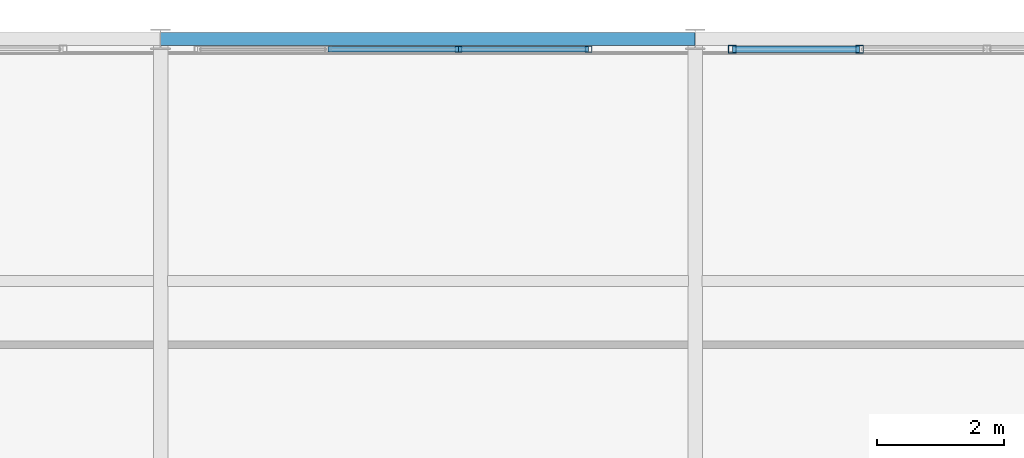
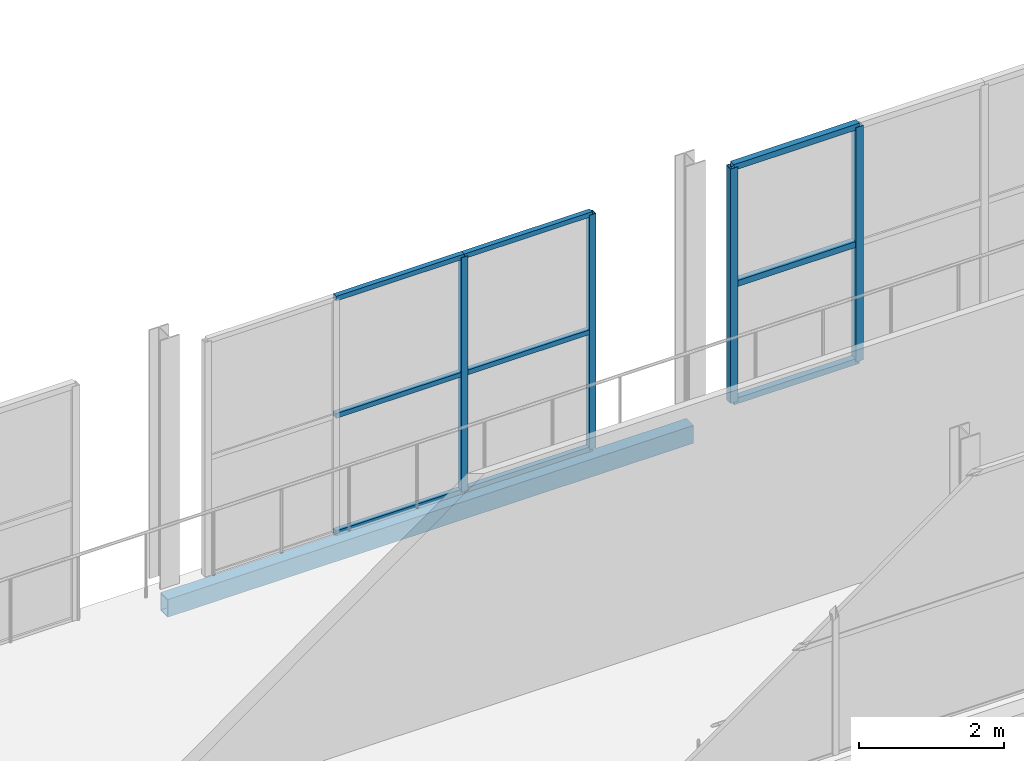
# One storey, part 106 of 151: 13 members, 1 beam, 2 elements without a shape of their own.
"""IFC4 building model written with IfcOpenShell, lengths in metres."""

from ifc_helpers import new_model, si_unit, direction, frame, origin, origin_2d, place, context, subcontext, project, spatial, hollow_rectangle, extrude, material, material_profile, profile_set, type_object, element, aggregate, save


model = new_model("IFC4")

# Units and contexts
model_context = context("Model", 3, precision=1e-05, world=origin(), true_north=direction((0.0, 1.0)))
body_context = subcontext(model_context, "Body", "Model", "MODEL_VIEW")
ifc_project = project(units=[si_unit("LENGTHUNIT", "METRE"), si_unit("AREAUNIT", "SQUARE_METRE"), si_unit("VOLUMEUNIT", "CUBIC_METRE"), si_unit("PLANEANGLEUNIT", "RADIAN"), si_unit("MASSUNIT", "GRAM", prefix="KILO")], contexts=[model_context])

# Site, building, storey
site_placement = place(None, origin())
site = spatial("IfcSite", under=ifc_project, at=site_placement, CompositionType="ELEMENT")
building_placement = place(site_placement, origin())
building = spatial("IfcBuilding", under=site, at=building_placement, Name="Zuvorla Pavilion Media Centre", CompositionType="ELEMENT")
storey_placement = place(building_placement, frame((0.0, 0.0, 13.800048828125)))
storey = spatial("IfcBuildingStorey", under=building, at=storey_placement, Name="L03", CompositionType="ELEMENT", Elevation=13.800048828125)

# Beam
ifc_material_1 = material(Name="Steel S355", Category="steel")
ifc_material_profile_1 = material_profile(ifc_material_1, hollow_rectangle(XDim=0.199951171875, YDim=0.300048828125, WallThickness=0.012451171875, at=origin_2d()), Name="RHS 300x200x12.5")
ifc_profile_set_1 = profile_set([ifc_material_profile_1], Name="Steel S355")
beam_type = type_object("IfcBeamType", Name="BM-SP-RHS300", PredefinedType="SPANDREL", material=ifc_profile_set_1)
beam_placement = place(storey_placement, frame((134.0, 89.60009765625, -0.407958984375), z_axis=(1.0, 0.0, 0.0), x_axis=(0.0, 1.0, 0.0)))
element("IfcBeam", 1, at=beam_placement, inside=storey, type_object=beam_type, Name="L03 spandrel SP01 1144", PredefinedType="SPANDREL", context=body_context, shape_type="SweptSolid", body=[
    extrude(hollow_rectangle(XDim=0.199951171875, YDim=0.300048828125, WallThickness=0.012451171875, at=origin_2d()), origin(), (0.0, 0.0, 1.0), 8.39990234375),
])

# Curtain wall, members
ifc_material_2 = material(Name="Unitised anodised aluminium and solar glass curtain wall", Category="aluminium")
curtain_wall_type_1 = type_object("IfcCurtainWallType", Name="CW-SYS-61", PredefinedType="USERDEFINED", material=ifc_material_2)
curtain_wall_1_placement = place(storey_placement, origin())
curtain_wall_1 = element("IfcCurtainWall", 2, at=curtain_wall_1_placement, inside=storey, type_object=curtain_wall_type_1, Name="L03 curtain wall CW61 108", ObjectType="CURTAIN WALL", PredefinedType="USERDEFINED")
ifc_material_3 = material(Name="Anodised aluminium 6063-T6", Category="aluminium")
ifc_material_profile_2 = material_profile(ifc_material_3, hollow_rectangle(XDim=0.10009765625, YDim=0.10009765625, WallThickness=0.00439453125, at=origin_2d()), Name="ALU MULL 100x100")
ifc_profile_set_2 = profile_set([ifc_material_profile_2], Name="Anodised aluminium 6063-T6")
member_type_1 = type_object("IfcMemberType", Name="CW-MULL-100", PredefinedType="MULLION", material=ifc_profile_set_2)
member_1_placement = place(storey_placement, frame((140.7255859375, 89.43994140625, 0.0), z_axis=(0.0, 0.0, 1.0), x_axis=(1.0, 0.0, 0.0)))
member_1 = element("IfcMember", 3, at=member_1_placement, type_object=member_type_1, Name="CW61 mullion 1", PredefinedType="MULLION", context=body_context, shape_type="SweptSolid", body=[
    extrude(hollow_rectangle(XDim=0.10009765625, YDim=0.10009765625, WallThickness=0.00439453125, at=origin_2d()), origin(), (0.0, 0.0, 1.0), 3.9599609375),
])
member_2_placement = place(storey_placement, frame((138.677734375, 89.43994140625, 0.0), z_axis=(0.0, 0.0, 1.0), x_axis=(1.0, 0.0, 0.0)))
member_2 = element("IfcMember", 4, at=member_2_placement, type_object=member_type_1, Name="CW61 mullion 2", PredefinedType="MULLION", context=body_context, shape_type="SweptSolid", body=[
    extrude(hollow_rectangle(XDim=0.10009765625, YDim=0.10009765625, WallThickness=0.00439453125, at=origin_2d()), origin(), (0.0, 0.0, 1.0), 3.9599609375),
])

curtain_wall_type_2 = type_object("IfcCurtainWallType", Name="CW-SYS-18", PredefinedType="USERDEFINED", material=ifc_material_2)
curtain_wall_2_placement = place(storey_placement, origin())
curtain_wall_2 = element("IfcCurtainWall", 5, at=curtain_wall_2_placement, inside=storey, type_object=curtain_wall_type_2, Name="L03 curtain wall CW18 107", ObjectType="CURTAIN WALL", PredefinedType="USERDEFINED")
ifc_material_profile_3 = material_profile(ifc_material_3, hollow_rectangle(XDim=0.1201171875, YDim=0.1201171875, WallThickness=0.0048828125, at=origin_2d()), Name="ALU MULL 120x120")
ifc_profile_set_3 = profile_set([ifc_material_profile_3], Name="Anodised aluminium 6063-T6")
member_type_2 = type_object("IfcMemberType", Name="CW-MULL-120", PredefinedType="MULLION", material=ifc_profile_set_3)
member_3_placement = place(storey_placement, frame((144.982177734375, 89.43994140625, 0.0), z_axis=(0.0, 0.0, 1.0), x_axis=(1.0, 0.0, 0.0)))
member_3 = element("IfcMember", 6, at=member_3_placement, type_object=member_type_2, Name="CW18 mullion 3", PredefinedType="MULLION", context=body_context, shape_type="SweptSolid", body=[
    extrude(hollow_rectangle(XDim=0.1201171875, YDim=0.1201171875, WallThickness=0.0048828125, at=origin_2d()), origin(), (0.0, 0.0, 1.0), 3.9599609375),
])
member_4_placement = place(storey_placement, frame((142.98193359375, 89.43994140625, 0.0), z_axis=(0.0, 0.0, 1.0), x_axis=(1.0, 0.0, 0.0)))
member_4 = element("IfcMember", 7, at=member_4_placement, type_object=member_type_2, Name="CW18 mullion 4", PredefinedType="MULLION", context=body_context, shape_type="SweptSolid", body=[
    extrude(hollow_rectangle(XDim=0.1201171875, YDim=0.1201171875, WallThickness=0.0048828125, at=origin_2d()), origin(), (0.0, 0.0, 1.0), 3.9599609375),
])
ifc_material_profile_4 = material_profile(ifc_material_3, hollow_rectangle(XDim=0.10009765625, YDim=0.10009765625, WallThickness=0.00439453125, at=origin_2d()), Name="ALU TRAN 100x100")
ifc_profile_set_4 = profile_set([ifc_material_profile_4], Name="Anodised aluminium 6063-T6")
member_type_3 = type_object("IfcMemberType", Name="CW-TRAN-100", PredefinedType="USERDEFINED", material=ifc_profile_set_4)
member_5_placement = place(storey_placement, frame((144.982177734375, 89.43994140625, 0.0), z_axis=(-1.0, 0.0, 0.0), x_axis=(0.0, -1.0, 0.0)))
member_5 = element("IfcMember", 8, at=member_5_placement, type_object=member_type_3, Name="CW18 transom 3.1", ObjectType="TRANSOM", PredefinedType="USERDEFINED", context=body_context, shape_type="SweptSolid", body=[
    extrude(hollow_rectangle(XDim=0.10009765625, YDim=0.10009765625, WallThickness=0.00439453125, at=origin_2d()), origin(), (0.0, 0.0, 1.0), 2.000244140625),
])
member_6_placement = place(storey_placement, frame((144.982177734375, 89.43994140625, 1.97998046875), z_axis=(-1.0, 0.0, 0.0), x_axis=(0.0, -1.0, 0.0)))
member_6 = element("IfcMember", 9, at=member_6_placement, type_object=member_type_3, Name="CW18 transom 3.2", ObjectType="TRANSOM", PredefinedType="USERDEFINED", context=body_context, shape_type="SweptSolid", body=[
    extrude(hollow_rectangle(XDim=0.10009765625, YDim=0.10009765625, WallThickness=0.00439453125, at=origin_2d()), origin(), (0.0, 0.0, 1.0), 2.000244140625),
])
member_7_placement = place(storey_placement, frame((144.982177734375, 89.43994140625, 3.9599609375), z_axis=(-1.0, 0.0, 0.0), x_axis=(0.0, -1.0, 0.0)))
member_7 = element("IfcMember", 10, at=member_7_placement, type_object=member_type_3, Name="CW18 transom 3.3", ObjectType="TRANSOM", PredefinedType="USERDEFINED", context=body_context, shape_type="SweptSolid", body=[
    extrude(hollow_rectangle(XDim=0.10009765625, YDim=0.10009765625, WallThickness=0.00439453125, at=origin_2d()), origin(), (0.0, 0.0, 1.0), 2.000244140625),
])
aggregate(curtain_wall_2, [member_3, member_4, member_5, member_6, member_7])

# Member
ifc_material_profile_5 = material_profile(ifc_material_3, hollow_rectangle(XDim=0.080078125, YDim=0.080078125, WallThickness=0.00390625, at=origin_2d()), Name="ALU TRAN 80x80")
ifc_profile_set_5 = profile_set([ifc_material_profile_5], Name="Anodised aluminium 6063-T6")
member_type_4 = type_object("IfcMemberType", Name="CW-TRAN-80", PredefinedType="USERDEFINED", material=ifc_profile_set_5)
member_8_placement = place(storey_placement, frame((140.7255859375, 89.43994140625, 0.0), z_axis=(-1.0, 0.0, 0.0), x_axis=(0.0, -1.0, 0.0)))
member_8 = element("IfcMember", 11, at=member_8_placement, type_object=member_type_4, Name="CW61 transom 1.1", ObjectType="TRANSOM", PredefinedType="USERDEFINED", context=body_context, shape_type="SweptSolid", body=[
    extrude(hollow_rectangle(XDim=0.080078125, YDim=0.080078125, WallThickness=0.00390625, at=origin_2d()), origin(), (0.0, 0.0, 1.0), 2.0478515625),
])

member_9_placement = place(storey_placement, frame((140.7255859375, 89.43994140625, 1.97998046875), z_axis=(-1.0, 0.0, 0.0), x_axis=(0.0, -1.0, 0.0)))
member_9 = element("IfcMember", 12, at=member_9_placement, type_object=member_type_4, Name="CW61 transom 1.2", ObjectType="TRANSOM", PredefinedType="USERDEFINED", context=body_context, shape_type="SweptSolid", body=[
    extrude(hollow_rectangle(XDim=0.080078125, YDim=0.080078125, WallThickness=0.00390625, at=origin_2d()), origin(), (0.0, 0.0, 1.0), 2.0478515625),
])

member_10_placement = place(storey_placement, frame((140.7255859375, 89.43994140625, 3.9599609375), z_axis=(-1.0, 0.0, 0.0), x_axis=(0.0, -1.0, 0.0)))
member_10 = element("IfcMember", 13, at=member_10_placement, type_object=member_type_4, Name="CW61 transom 1.3", ObjectType="TRANSOM", PredefinedType="USERDEFINED", context=body_context, shape_type="SweptSolid", body=[
    extrude(hollow_rectangle(XDim=0.080078125, YDim=0.080078125, WallThickness=0.00390625, at=origin_2d()), origin(), (0.0, 0.0, 1.0), 2.0478515625),
])

member_11_placement = place(storey_placement, frame((138.677734375, 89.43994140625, 0.0), z_axis=(-1.0, 0.0, 0.0), x_axis=(0.0, -1.0, 0.0)))
member_11 = element("IfcMember", 14, at=member_11_placement, type_object=member_type_4, Name="CW61 transom 2.1", ObjectType="TRANSOM", PredefinedType="USERDEFINED", context=body_context, shape_type="SweptSolid", body=[
    extrude(hollow_rectangle(XDim=0.080078125, YDim=0.080078125, WallThickness=0.00390625, at=origin_2d()), origin(), (0.0, 0.0, 1.0), 2.0478515625),
])

member_12_placement = place(storey_placement, frame((138.677734375, 89.43994140625, 1.97998046875), z_axis=(-1.0, 0.0, 0.0), x_axis=(0.0, -1.0, 0.0)))
member_12 = element("IfcMember", 15, at=member_12_placement, type_object=member_type_4, Name="CW61 transom 2.2", ObjectType="TRANSOM", PredefinedType="USERDEFINED", context=body_context, shape_type="SweptSolid", body=[
    extrude(hollow_rectangle(XDim=0.080078125, YDim=0.080078125, WallThickness=0.00390625, at=origin_2d()), origin(), (0.0, 0.0, 1.0), 2.0478515625),
])

member_13_placement = place(storey_placement, frame((138.677734375, 89.43994140625, 3.9599609375), z_axis=(-1.0, 0.0, 0.0), x_axis=(0.0, -1.0, 0.0)))
member_13 = element("IfcMember", 16, at=member_13_placement, type_object=member_type_4, Name="CW61 transom 2.3", ObjectType="TRANSOM", PredefinedType="USERDEFINED", context=body_context, shape_type="SweptSolid", body=[
    extrude(hollow_rectangle(XDim=0.080078125, YDim=0.080078125, WallThickness=0.00390625, at=origin_2d()), origin(), (0.0, 0.0, 1.0), 2.0478515625),
])

aggregate(curtain_wall_1, [member_1, member_2, member_8, member_9, member_10, member_11, member_12, member_13])

save(model, "model.ifc")
